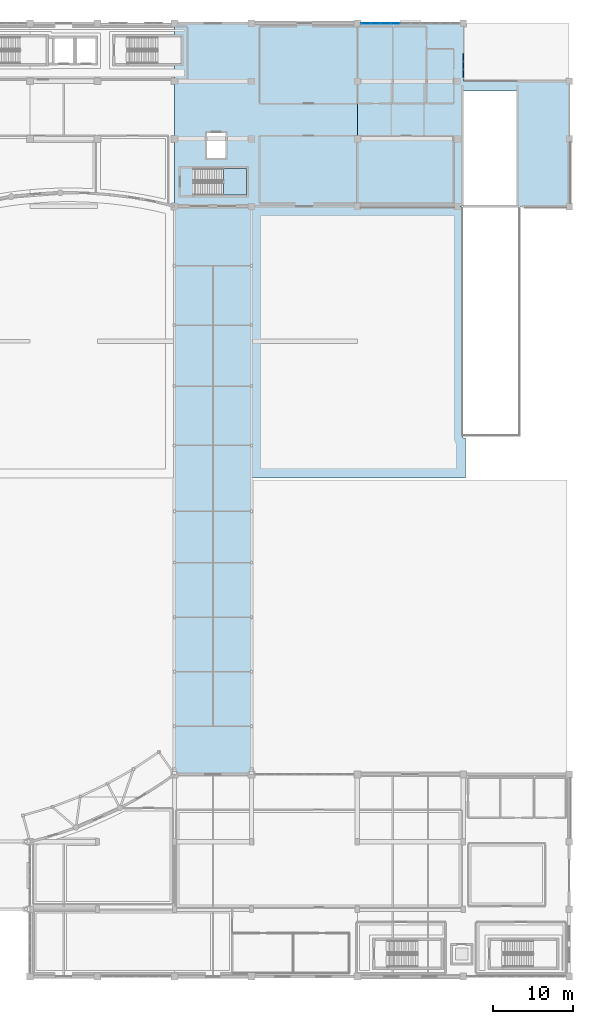
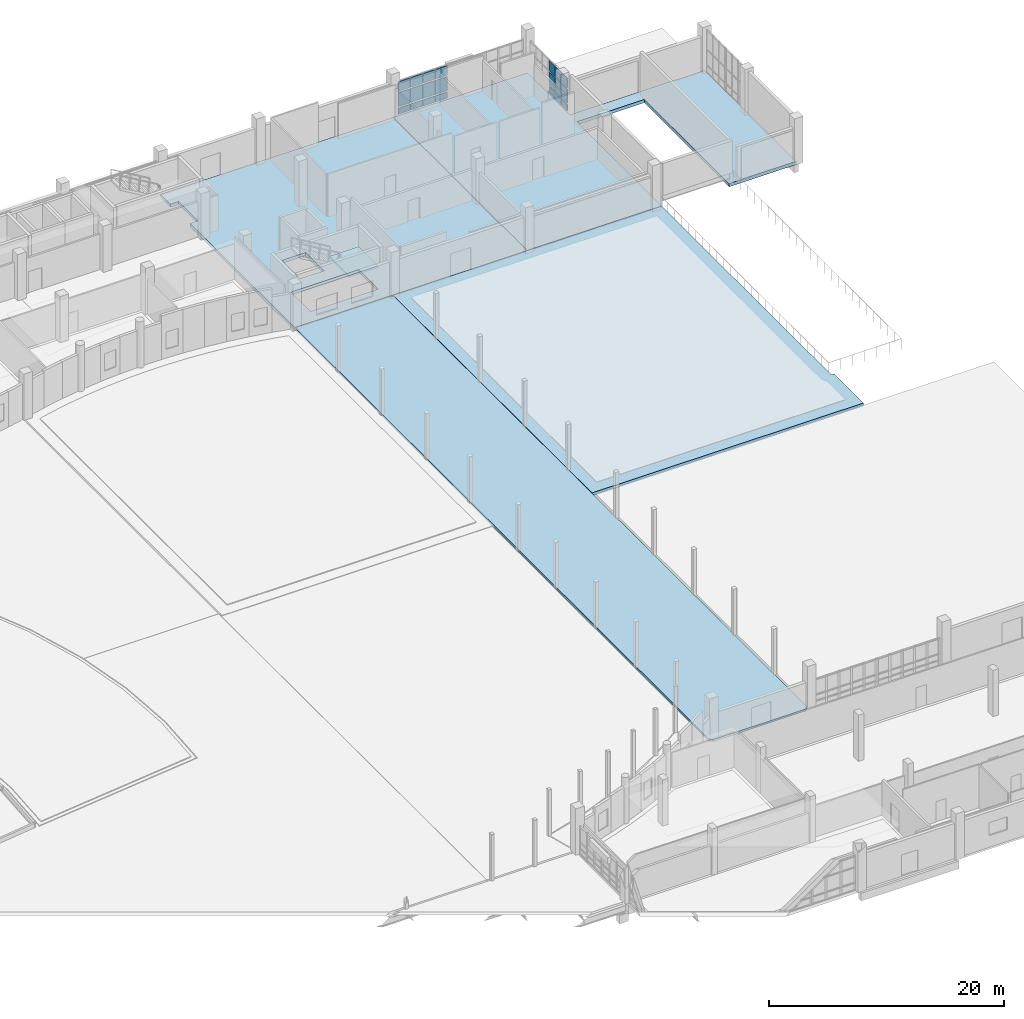
# One storey, part 54 of 97: 21 plates, 5 slabs, 3 elements without a shape of their own.
"""IFC4 building model written with IfcOpenShell, lengths in metres."""

from ifc_helpers import new_model, si_unit, direction, frame, origin, origin_2d, place, context, subcontext, project, spatial, polyline, rectangle, outline, extrude, material, layer, layer_set, type_object, element, aggregate, save


model = new_model("IFC4")

# Units and contexts
model_context = context("Model", 3, precision=1e-05, world=origin(), true_north=direction((0.0, 1.0)))
body_context = subcontext(model_context, "Body", "Model", "MODEL_VIEW")
ifc_project = project(units=[si_unit("LENGTHUNIT", "METRE"), si_unit("AREAUNIT", "SQUARE_METRE"), si_unit("VOLUMEUNIT", "CUBIC_METRE"), si_unit("PLANEANGLEUNIT", "RADIAN"), si_unit("MASSUNIT", "GRAM", prefix="KILO")], contexts=[model_context])

# Site, building, storey
site_placement = place(None, origin())
site = spatial("IfcSite", under=ifc_project, at=site_placement, CompositionType="ELEMENT")
building_placement = place(site_placement, origin())
building = spatial("IfcBuilding", under=site, at=building_placement, Name="Kisaragi Civic Commons", CompositionType="ELEMENT")
storey_placement = place(building_placement, origin())
storey = spatial("IfcBuildingStorey", under=building, at=storey_placement, Name="L00", CompositionType="ELEMENT", Elevation=0.0)

# Curtain wall, plates
ifc_material_1 = material(Name="Thermally broken anodized aluminium and low-E double glazing", Category="aluminium")
ifc_layer_1 = layer(ifc_material_1, 0.179931640625, Name="Thermally broken anodized aluminium and low-E double glazing", Category="aluminium")
ifc_layer_set_1 = layer_set([ifc_layer_1], Name="Thermally broken anodized aluminium and low-E double glazing")
curtain_wall_type = type_object("IfcCurtainWallType", Name="CW-01", PredefinedType="NOTDEFINED", material=ifc_layer_set_1)
curtain_wall_1_placement = place(storey_placement, origin())
curtain_wall_1 = element("IfcCurtainWall", 1, at=curtain_wall_1_placement, inside=storey, type_object=curtain_wall_type, Name="L00 curtain wall CW-01 CW-V4-L00-049", PredefinedType="NOTDEFINED")
ifc_layer_2 = layer(ifc_material_1, 0.055908203125, Name="Thermally broken anodized aluminium and low-E double glazing", Category="aluminium")
ifc_layer_set_2 = layer_set([ifc_layer_2], Name="Thermally broken anodized aluminium and low-E double glazing")
plate_type_1 = type_object("IfcPlateType", Name="CWP-06", PredefinedType="CURTAIN_PANEL", material=ifc_layer_set_2)
plate_1_placement = place(storey_placement, frame((147.46826171875, 118.800048828125, 0.14013671875), z_axis=(0.0, 0.0, 1.0), x_axis=(1.0, 0.0, 0.0)))
plate_1 = element("IfcPlate", 2, at=plate_1_placement, type_object=plate_type_1, Name="CW-01 panel 1.1", PredefinedType="CURTAIN_PANEL", context=body_context, shape_type="SweptSolid", body=[
    extrude(rectangle(XDim=1.12646484375, YDim=0.055908203125, at=origin_2d()), origin(), (0.0, 0.0, 1.0), 0.639892578125),
])
plate_2_placement = place(storey_placement, frame((147.46826171875, 118.800048828125, 0.919921875), z_axis=(0.0, 0.0, 1.0), x_axis=(1.0, 0.0, 0.0)))
plate_2 = element("IfcPlate", 3, at=plate_2_placement, type_object=plate_type_1, Name="CW-01 panel 1.2", PredefinedType="CURTAIN_PANEL", context=body_context, shape_type="SweptSolid", body=[
    extrude(rectangle(XDim=1.12646484375, YDim=0.055908203125, at=origin_2d()), origin(), (0.0, 0.0, 1.0), 1.4599609375),
])
plate_3_placement = place(storey_placement, frame((147.46826171875, 118.800048828125, 2.52001953125), z_axis=(0.0, 0.0, 1.0), x_axis=(1.0, 0.0, 0.0)))
plate_3 = element("IfcPlate", 4, at=plate_3_placement, type_object=plate_type_1, Name="CW-01 panel 1.3", PredefinedType="CURTAIN_PANEL", context=body_context, shape_type="SweptSolid", body=[
    extrude(rectangle(XDim=1.12646484375, YDim=0.055908203125, at=origin_2d()), origin(), (0.0, 0.0, 1.0), 1.010009765625),
])
plate_4_placement = place(storey_placement, frame((148.676025390625, 118.800048828125, 0.14013671875), z_axis=(0.0, 0.0, 1.0), x_axis=(1.0, 0.0, 0.0)))
plate_4 = element("IfcPlate", 5, at=plate_4_placement, type_object=plate_type_1, Name="CW-01 panel 2.1", PredefinedType="CURTAIN_PANEL", context=body_context, shape_type="SweptSolid", body=[
    extrude(rectangle(XDim=1.158935546875, YDim=0.055908203125, at=origin_2d()), origin(), (0.0, 0.0, 1.0), 0.639892578125),
])
plate_5_placement = place(storey_placement, frame((148.676025390625, 118.800048828125, 0.919921875), z_axis=(0.0, 0.0, 1.0), x_axis=(1.0, 0.0, 0.0)))
plate_5 = element("IfcPlate", 6, at=plate_5_placement, type_object=plate_type_1, Name="CW-01 panel 2.2", PredefinedType="CURTAIN_PANEL", context=body_context, shape_type="SweptSolid", body=[
    extrude(rectangle(XDim=1.158935546875, YDim=0.055908203125, at=origin_2d()), origin(), (0.0, 0.0, 1.0), 1.4599609375),
])
plate_6_placement = place(storey_placement, frame((148.676025390625, 118.800048828125, 2.52001953125), z_axis=(0.0, 0.0, 1.0), x_axis=(1.0, 0.0, 0.0)))
plate_6 = element("IfcPlate", 7, at=plate_6_placement, type_object=plate_type_1, Name="CW-01 panel 2.3", PredefinedType="CURTAIN_PANEL", context=body_context, shape_type="SweptSolid", body=[
    extrude(rectangle(XDim=1.158935546875, YDim=0.055908203125, at=origin_2d()), origin(), (0.0, 0.0, 1.0), 1.010009765625),
])
plate_7_placement = place(storey_placement, frame((149.89990234375, 118.800048828125, 0.14013671875), z_axis=(0.0, 0.0, 1.0), x_axis=(1.0, 0.0, 0.0)))
plate_7 = element("IfcPlate", 8, at=plate_7_placement, type_object=plate_type_1, Name="CW-01 panel 3.1", PredefinedType="CURTAIN_PANEL", context=body_context, shape_type="SweptSolid", body=[
    extrude(rectangle(XDim=1.158935546875, YDim=0.055908203125, at=origin_2d()), origin(), (0.0, 0.0, 1.0), 0.639892578125),
])
plate_8_placement = place(storey_placement, frame((149.89990234375, 118.800048828125, 0.919921875), z_axis=(0.0, 0.0, 1.0), x_axis=(1.0, 0.0, 0.0)))
plate_8 = element("IfcPlate", 9, at=plate_8_placement, type_object=plate_type_1, Name="CW-01 panel 3.2", PredefinedType="CURTAIN_PANEL", context=body_context, shape_type="SweptSolid", body=[
    extrude(rectangle(XDim=1.158935546875, YDim=0.055908203125, at=origin_2d()), origin(), (0.0, 0.0, 1.0), 1.4599609375),
])
plate_9_placement = place(storey_placement, frame((149.89990234375, 118.800048828125, 2.52001953125), z_axis=(0.0, 0.0, 1.0), x_axis=(1.0, 0.0, 0.0)))
plate_9 = element("IfcPlate", 10, at=plate_9_placement, type_object=plate_type_1, Name="CW-01 panel 3.3", PredefinedType="CURTAIN_PANEL", context=body_context, shape_type="SweptSolid", body=[
    extrude(rectangle(XDim=1.158935546875, YDim=0.055908203125, at=origin_2d()), origin(), (0.0, 0.0, 1.0), 1.010009765625),
])
plate_10_placement = place(storey_placement, frame((151.1240234375, 118.800048828125, 0.14013671875), z_axis=(0.0, 0.0, 1.0), x_axis=(1.0, 0.0, 0.0)))
plate_10 = element("IfcPlate", 11, at=plate_10_placement, type_object=plate_type_1, Name="CW-01 panel 4.1", PredefinedType="CURTAIN_PANEL", context=body_context, shape_type="SweptSolid", body=[
    extrude(rectangle(XDim=1.158935546875, YDim=0.055908203125, at=origin_2d()), origin(), (0.0, 0.0, 1.0), 0.639892578125),
])
plate_11_placement = place(storey_placement, frame((151.1240234375, 118.800048828125, 0.919921875), z_axis=(0.0, 0.0, 1.0), x_axis=(1.0, 0.0, 0.0)))
plate_11 = element("IfcPlate", 12, at=plate_11_placement, type_object=plate_type_1, Name="CW-01 panel 4.2", PredefinedType="CURTAIN_PANEL", context=body_context, shape_type="SweptSolid", body=[
    extrude(rectangle(XDim=1.158935546875, YDim=0.055908203125, at=origin_2d()), origin(), (0.0, 0.0, 1.0), 1.4599609375),
])
plate_12_placement = place(storey_placement, frame((151.1240234375, 118.800048828125, 2.52001953125), z_axis=(0.0, 0.0, 1.0), x_axis=(1.0, 0.0, 0.0)))
plate_12 = element("IfcPlate", 13, at=plate_12_placement, type_object=plate_type_1, Name="CW-01 panel 4.3", PredefinedType="CURTAIN_PANEL", context=body_context, shape_type="SweptSolid", body=[
    extrude(rectangle(XDim=1.158935546875, YDim=0.055908203125, at=origin_2d()), origin(), (0.0, 0.0, 1.0), 1.010009765625),
])
aggregate(curtain_wall_1, [plate_1, plate_2, plate_3, plate_4, plate_5, plate_6, plate_7, plate_8, plate_9, plate_10, plate_11, plate_12])

curtain_wall_2_placement = place(storey_placement, origin())
curtain_wall_2 = element("IfcCurtainWall", 14, at=curtain_wall_2_placement, inside=storey, type_object=curtain_wall_type, Name="L00 curtain wall CW-01 CW-V4-L00-052", PredefinedType="NOTDEFINED")
ifc_layer_3 = layer(ifc_material_1, 0.080078125, Name="Thermally broken anodized aluminium and low-E double glazing", Category="aluminium")
ifc_layer_set_3 = layer_set([ifc_layer_3], Name="Thermally broken anodized aluminium and low-E double glazing")
plate_type_2 = type_object("IfcPlateType", Name="CWP-10", PredefinedType="CURTAIN_PANEL", material=ifc_layer_set_3)
plate_13_placement = place(storey_placement, frame((159.60009765625, 114.5888671875, 0.14013671875), z_axis=(0.0, 0.0, 1.0), x_axis=(0.0, -1.0, 0.0)))
plate_13 = element("IfcPlate", 15, at=plate_13_placement, type_object=plate_type_2, Name="CW-01 panel 1.1", PredefinedType="CURTAIN_PANEL", context=body_context, shape_type="SweptSolid", body=[
    extrude(rectangle(XDim=0.952392578125, YDim=0.080078125, at=origin_2d()), origin(), (0.0, 0.0, 1.0), 0.639892578125),
])
plate_14_placement = place(storey_placement, frame((159.60009765625, 114.5888671875, 0.919921875), z_axis=(0.0, 0.0, 1.0), x_axis=(0.0, -1.0, 0.0)))
plate_14 = element("IfcPlate", 16, at=plate_14_placement, type_object=plate_type_2, Name="CW-01 panel 1.2", PredefinedType="CURTAIN_PANEL", context=body_context, shape_type="SweptSolid", body=[
    extrude(rectangle(XDim=0.952392578125, YDim=0.080078125, at=origin_2d()), origin(), (0.0, 0.0, 1.0), 1.4599609375),
])
plate_15_placement = place(storey_placement, frame((159.60009765625, 114.5888671875, 2.52001953125), z_axis=(0.0, 0.0, 1.0), x_axis=(0.0, -1.0, 0.0)))
plate_15 = element("IfcPlate", 17, at=plate_15_placement, type_object=plate_type_2, Name="CW-01 panel 1.3", PredefinedType="CURTAIN_PANEL", context=body_context, shape_type="SweptSolid", body=[
    extrude(rectangle(XDim=0.952392578125, YDim=0.080078125, at=origin_2d()), origin(), (0.0, 0.0, 1.0), 1.010009765625),
])
plate_16_placement = place(storey_placement, frame((159.60009765625, 113.554931640625, 0.14013671875), z_axis=(0.0, 0.0, 1.0), x_axis=(0.0, -1.0, 0.0)))
plate_16 = element("IfcPlate", 18, at=plate_16_placement, type_object=plate_type_2, Name="CW-01 panel 2.1", PredefinedType="CURTAIN_PANEL", context=body_context, shape_type="SweptSolid", body=[
    extrude(rectangle(XDim=0.985107421875, YDim=0.080078125, at=origin_2d()), origin(), (0.0, 0.0, 1.0), 0.639892578125),
])
plate_17_placement = place(storey_placement, frame((159.60009765625, 113.554931640625, 0.919921875), z_axis=(0.0, 0.0, 1.0), x_axis=(0.0, -1.0, 0.0)))
plate_17 = element("IfcPlate", 19, at=plate_17_placement, type_object=plate_type_2, Name="CW-01 panel 2.2", PredefinedType="CURTAIN_PANEL", context=body_context, shape_type="SweptSolid", body=[
    extrude(rectangle(XDim=0.985107421875, YDim=0.080078125, at=origin_2d()), origin(), (0.0, 0.0, 1.0), 1.4599609375),
])
plate_18_placement = place(storey_placement, frame((159.60009765625, 113.554931640625, 2.52001953125), z_axis=(0.0, 0.0, 1.0), x_axis=(0.0, -1.0, 0.0)))
plate_18 = element("IfcPlate", 20, at=plate_18_placement, type_object=plate_type_2, Name="CW-01 panel 2.3", PredefinedType="CURTAIN_PANEL", context=body_context, shape_type="SweptSolid", body=[
    extrude(rectangle(XDim=0.985107421875, YDim=0.080078125, at=origin_2d()), origin(), (0.0, 0.0, 1.0), 1.010009765625),
])
plate_19_placement = place(storey_placement, frame((159.60009765625, 112.521240234375, 0.14013671875), z_axis=(0.0, 0.0, 1.0), x_axis=(0.0, -1.0, 0.0)))
plate_19 = element("IfcPlate", 21, at=plate_19_placement, type_object=plate_type_2, Name="CW-01 panel 3.1", PredefinedType="CURTAIN_PANEL", context=body_context, shape_type="SweptSolid", body=[
    extrude(rectangle(XDim=0.952392578125, YDim=0.080078125, at=origin_2d()), origin(), (0.0, 0.0, 1.0), 0.639892578125),
])
plate_20_placement = place(storey_placement, frame((159.60009765625, 112.521240234375, 0.919921875), z_axis=(0.0, 0.0, 1.0), x_axis=(0.0, -1.0, 0.0)))
plate_20 = element("IfcPlate", 22, at=plate_20_placement, type_object=plate_type_2, Name="CW-01 panel 3.2", PredefinedType="CURTAIN_PANEL", context=body_context, shape_type="SweptSolid", body=[
    extrude(rectangle(XDim=0.952392578125, YDim=0.080078125, at=origin_2d()), origin(), (0.0, 0.0, 1.0), 1.4599609375),
])
plate_21_placement = place(storey_placement, frame((159.60009765625, 112.521240234375, 2.52001953125), z_axis=(0.0, 0.0, 1.0), x_axis=(0.0, -1.0, 0.0)))
plate_21 = element("IfcPlate", 23, at=plate_21_placement, type_object=plate_type_2, Name="CW-01 panel 3.3", PredefinedType="CURTAIN_PANEL", context=body_context, shape_type="SweptSolid", body=[
    extrude(rectangle(XDim=0.952392578125, YDim=0.080078125, at=origin_2d()), origin(), (0.0, 0.0, 1.0), 1.010009765625),
])
aggregate(curtain_wall_2, [plate_13, plate_14, plate_15, plate_16, plate_17, plate_18, plate_19, plate_20, plate_21])

# Slabs
ifc_material_2 = material(Name="Concrete Fc30", Category="concrete")
ifc_layer_4 = layer(ifc_material_2, 0.215087890625, Name="Concrete Fc30", Category="concrete")
ifc_layer_set_4 = layer_set([ifc_layer_4], Name="Concrete Fc30")
slab_type_1 = type_object("IfcSlabType", Name="SL-BR", PredefinedType="FLOOR", material=ifc_layer_set_4)
slab_1_placement = place(storey_placement, frame((0.0, 0.0, -0.215087890625)))
element("IfcSlab", 24, at=slab_1_placement, inside=storey, type_object=slab_type_1, Name="BR-V4-V3 L00 bridge deck slab", PredefinedType="FLOOR", context=body_context, shape_type="SweptSolid", body=[
    extrude(outline(polyline([(123.85009765625, 25.3701171875), (132.949951171875, 25.3701171875), (133.199951171875, 25.6201171875), (133.199951171875, 95.72998046875), (132.949951171875, 95.97998046875), (123.85009765625, 95.97998046875), (123.60009765625, 95.72998046875), (123.60009765625, 25.6201171875), (123.85009765625, 25.3701171875)])), origin(), (0.0, 0.0, 1.0), 0.215087890625),
])
ifc_layer_5 = layer(ifc_material_2, 0.324951171875, Name="Concrete Fc30", Category="concrete")
ifc_layer_set_5 = layer_set([ifc_layer_5], Name="Concrete Fc30")
slab_type_2 = type_object("IfcSlabType", Name="SL-G2", PredefinedType="BASESLAB", material=ifc_layer_set_5)
slab_2_placement = place(storey_placement, frame((0.0, 0.0, -0.324951171875)))
element("IfcSlab", 25, at=slab_2_placement, inside=storey, type_object=slab_type_2, Name="V4 L00 slab SL-G2 38", PredefinedType="BASESLAB", context=body_context, shape_type="SweptSolid", body=[
    extrude(outline(polyline([(123.60009765625, 118.800048828125), (123.60009765625, 117.10009765625), (124.39990234375, 117.10009765625), (124.39990234375, 113.800048828125), (123.60009765625, 113.800048828125), (123.60009765625, 96.0), (146.39990234375, 96.0), (146.39990234375, 118.800048828125), (123.60009765625, 118.800048828125)]), holes=[polyline([(125.949951171875, 97.39990234375), (132.60009765625, 97.39990234375), (132.60009765625, 100.699951171875), (125.949951171875, 100.699951171875), (125.949951171875, 97.39990234375)]), polyline([(127.64990234375, 105.14990234375), (127.64990234375, 102.050048828125), (129.949951171875, 102.050048828125), (129.949951171875, 105.14990234375), (127.64990234375, 105.14990234375)])]), origin(), (0.0, 0.0, 1.0), 0.324951171875),
])
slab_3_placement = place(storey_placement, frame((0.0, 0.0, -0.324951171875)))
element("IfcSlab", 26, at=slab_3_placement, inside=storey, type_object=slab_type_2, Name="V4 L00 slab SL-G2 39", PredefinedType="BASESLAB", context=body_context, shape_type="SweptSolid", body=[
    extrude(outline(polyline([(146.39990234375, 118.800048828125), (146.39990234375, 96.0), (159.60009765625, 96.0), (159.60009765625, 110.39990234375), (166.199951171875, 110.39990234375), (166.199951171875, 96.0), (172.800048828125, 96.0), (172.800048828125, 111.60009765625), (159.60009765625, 111.60009765625), (159.60009765625, 118.800048828125), (146.39990234375, 118.800048828125)])), origin(), (0.0, 0.0, 1.0), 0.324951171875),
])
ifc_layer_6 = layer(ifc_material_2, 0.320068359375, Name="Concrete Fc30", Category="concrete")
ifc_layer_set_6 = layer_set([ifc_layer_6], Name="Concrete Fc30")
slab_type_3 = type_object("IfcSlabType", Name="SL-TR1", PredefinedType="FLOOR", material=ifc_layer_set_6)
slab_4_placement = place(storey_placement, frame((0.0, 0.0, -0.320068359375)))
element("IfcSlab", 27, at=slab_4_placement, inside=storey, type_object=slab_type_3, Name="L00 courtyard plaza and roof garden deck 2", PredefinedType="FLOOR", context=body_context, shape_type="SweptSolid", body=[
    extrude(outline(polyline([(159.840087890625, 67.14990234375), (159.580078125, 67.14990234375), (159.580078125, 95.97998046875), (133.219970703125, 95.97998046875), (133.219970703125, 62.159912109375), (159.840087890625, 62.159912109375), (159.840087890625, 67.14990234375)])), origin(), (0.0, 0.0, 1.0), 0.320068359375),
])

# Stair, slab
stair_type = type_object("IfcStairType", Name="ST-A", PredefinedType="HALF_TURN_STAIR", material=ifc_material_2)
stair_placement = place(storey_placement, origin())
stair = element("IfcStair", 28, at=stair_placement, inside=storey, type_object=stair_type, Name="L00 Stair ST-L3", PredefinedType="HALF_TURN_STAIR")
ifc_layer_7 = layer(ifc_material_2, 0.199951171875, Name="Concrete Fc30", Category="concrete")
ifc_layer_set_7 = layer_set([ifc_layer_7], Name="Concrete Fc30")
slab_type_4 = type_object("IfcSlabType", Name="STL-01", PredefinedType="LANDING", material=ifc_layer_set_7)
slab_5_placement = place(storey_placement, frame((0.0, 0.0, 2.199951171875)))
slab_5 = element("IfcSlab", 29, at=slab_5_placement, type_object=slab_type_4, Name="ST-L3 landing 1", PredefinedType="LANDING", context=body_context, shape_type="SweptSolid", body=[
    extrude(outline(polyline([(129.719970703125, 97.39990234375), (132.60009765625, 97.39990234375), (132.60009765625, 100.699951171875), (129.719970703125, 100.699951171875), (129.719970703125, 97.39990234375)])), origin(), (0.0, 0.0, 1.0), 0.199951171875),
])
aggregate(stair, [slab_5])

save(model, "model.ifc")
